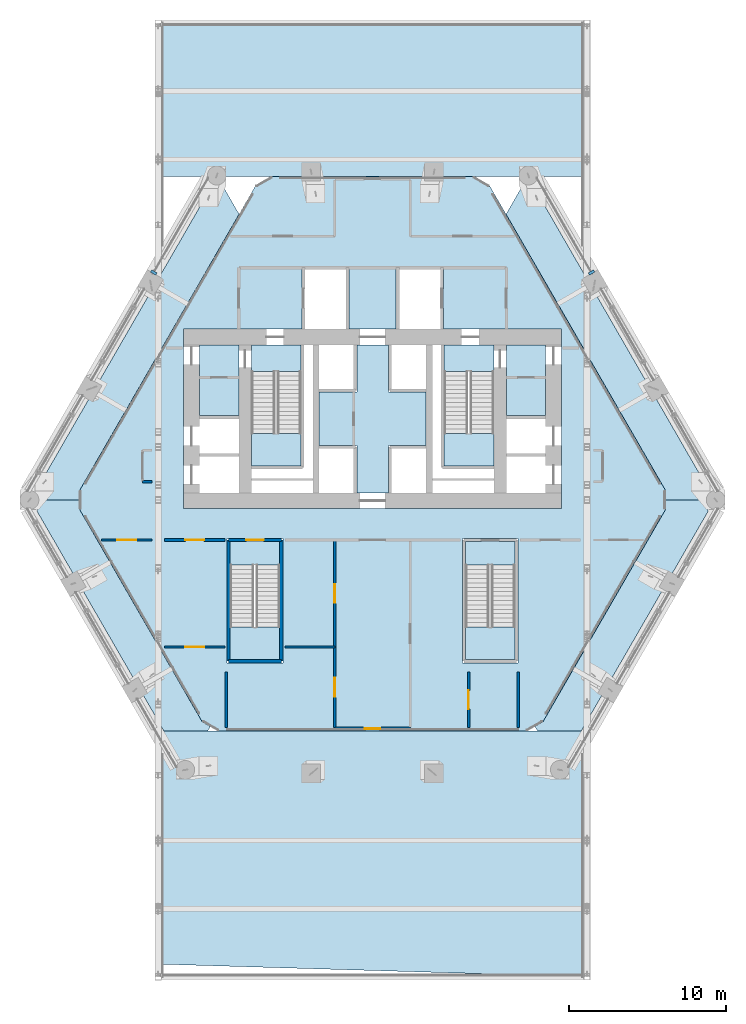
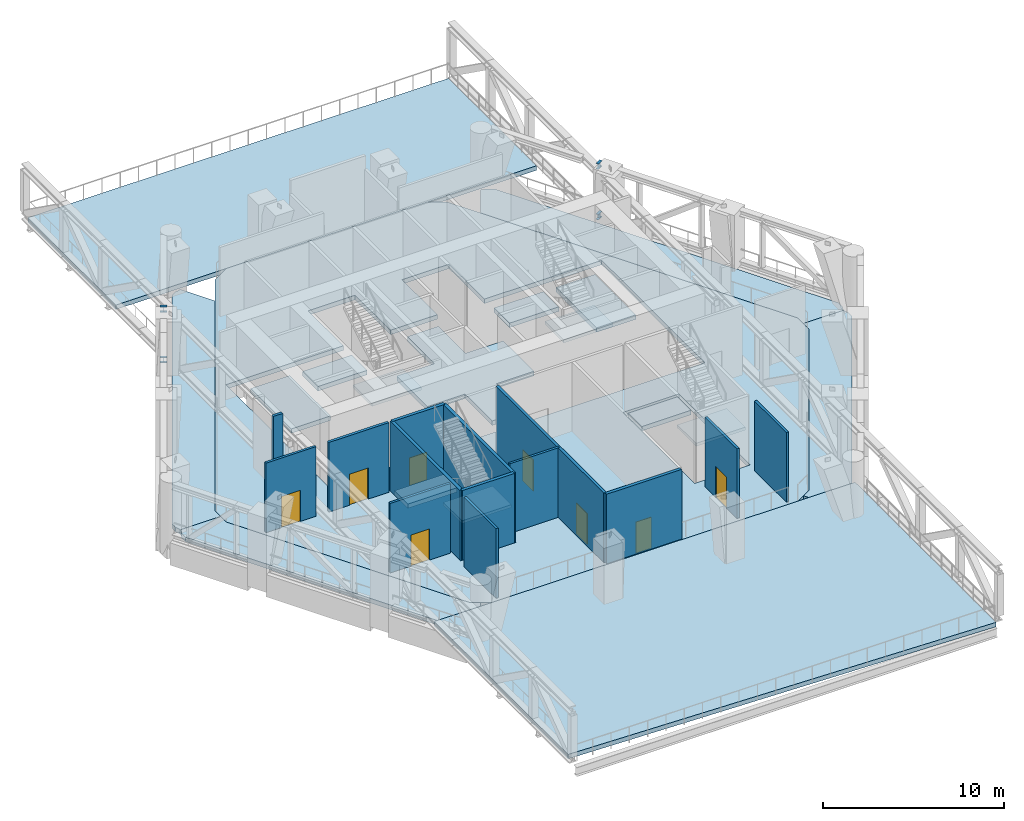
# One storey, part 9 of 22: 18 slabs, 14 walls, 8 doors, 4 members, 8 openings, 4 elements without a shape of their own.
"""IFC4 building model written with IfcOpenShell, lengths in metres."""

from ifc_helpers import new_model, si_unit, direction, frame, frame_2d, origin, origin_2d, place, context, subcontext, project, spatial, polyline, rectangle, i_section, outline, extrude, material, layer, layer_set, material_profile, profile_set, type_object, element, fill, aggregate, save


model = new_model("IFC4")

# Units and contexts
model_context = context("Model", 3, precision=1e-05, world=origin(), true_north=direction((0.0, 1.0)))
body_context = subcontext(model_context, "Body", "Model", "MODEL_VIEW")
ifc_project = project(units=[si_unit("LENGTHUNIT", "METRE"), si_unit("AREAUNIT", "SQUARE_METRE"), si_unit("VOLUMEUNIT", "CUBIC_METRE"), si_unit("PLANEANGLEUNIT", "RADIAN"), si_unit("MASSUNIT", "GRAM", prefix="KILO")], contexts=[model_context])

# Site, building, storey
site_placement = place(None, origin())
site = spatial("IfcSite", under=ifc_project, at=site_placement, CompositionType="ELEMENT")
building_placement = place(site_placement, origin())
building = spatial("IfcBuilding", under=site, at=building_placement, Name="Ostrander Bayou Hotel Tower", CompositionType="ELEMENT")
storey_placement = place(building_placement, frame((0.0, 0.0, 146.0)))
storey = spatial("IfcBuildingStorey", under=building, at=storey_placement, Name="L36", CompositionType="ELEMENT", Elevation=146.0)

# Members
ifc_material_1 = material(Name="Steel ASTM A992", Category="steel")
ifc_material_profile = material_profile(ifc_material_1, i_section(OverallWidth=0.3955078125, OverallDepth=0.38037109375, WebThickness=0.01904296875, FlangeThickness=0.0302734375, at=origin_2d()))
ifc_profile_set = profile_set([ifc_material_profile], Name="Steel ASTM A992")
member_type = type_object("IfcMemberType", Name="BT3 belt truss chord W14x159", PredefinedType="CHORD", material=ifc_profile_set)
for number, where, z_axis, x_axis, name in (
    (1, (-13.865966796875, 13.370361328125, 0.190185546875), (-0.500013496215, -0.866017611601, 0.0), (0.866017611601, -0.500013496215, 0.0), "BT3 L36 NW-1B2"),
    (2, (-13.865966796875, 13.370361328125, 3.60986328125), (-0.500013496215, -0.866017611601, 0.0), (0.866017611601, -0.500013496215, 0.0), "BT3 L36 NW-1T2"),
    (3, (13.95068359375, 13.2236328125, 0.190185546875), (-0.500013496215, 0.866017611601, 0.0), (-0.866017611601, -0.500013496215, 0.0), "BT3 L36 NE-3B1"),
    (4, (13.95068359375, 13.2236328125, 3.60986328125), (-0.500013496215, 0.866017611601, 0.0), (-0.866017611601, -0.500013496215, 0.0), "BT3 L36 NE-3T1"),
):
    element("IfcMember", number, at=place(storey_placement, frame(where, z_axis=z_axis, x_axis=x_axis)), inside=storey, type_object=member_type, Name=name, PredefinedType="CHORD", context=body_context, shape_type="SweptSolid", body=[
        extrude(i_section(OverallWidth=0.3955078125, OverallDepth=0.38037109375, WebThickness=0.01904296875, FlangeThickness=0.0302734375, at=origin_2d()), origin(), (0.0, 0.0, 1.0), 0.16943359375),
    ])

# Slabs
ifc_material_2 = material(Name="Concrete f'c 40 MPa", Category="concrete")
ifc_layer_1 = layer(ifc_material_2, 0.300048828125)
ifc_layer_set_1 = layer_set([ifc_layer_1], Name="SL1 floor slab 300 mm f'c 40 MPa")
slab_type_1 = type_object("IfcSlabType", Name="SL1 floor slab 300 mm f'c 40 MPa", PredefinedType="FLOOR", material=ifc_layer_set_1)
slab_1_placement = place(storey_placement, frame((0.0, 0.0, -0.300048828125)))
element("IfcSlab", 5, at=slab_1_placement, inside=storey, type_object=slab_type_1, Name="SL1 L36 1", PredefinedType="FLOOR", context=body_context, shape_type="SweptSolid", body=[
    extrude(outline(polyline([(7.4404296875, 18.800048828125), (18.61572265625, -0.556396484375), (18.61572265625, -1.756591796875), (10.8291015625, -15.243408203125), (9.789794921875, -15.843505859375), (-9.789794921875, -15.843505859375), (-10.8291015625, -15.243408203125), (-18.61572265625, -1.756591796875), (-18.61572265625, -0.556396484375), (-7.4404296875, 18.800048828125), (-6.401123046875, 19.39990234375), (6.401123046875, 19.39990234375), (7.4404296875, 18.800048828125)]), holes=[polyline([(-12.0, -1.699951171875), (12.0, -1.699951171875), (12.0, 9.699951171875), (4.5, 9.699951171875), (4.5, 13.60009765625), (1.5, 13.60009765625), (1.5, 9.699951171875), (-1.5, 9.699951171875), (-1.5, 13.60009765625), (-4.5, 13.60009765625), (-4.5, 9.699951171875), (-12.0, 9.699951171875), (-12.0, -1.699951171875)]), polyline([(9.25, -3.60009765625), (5.699951171875, -3.60009765625), (5.699951171875, -11.5), (9.25, -11.5), (9.25, -3.60009765625)]), polyline([(-5.699951171875, -3.60009765625), (-9.25, -3.60009765625), (-9.25, -11.5), (-5.699951171875, -11.5), (-5.699951171875, -3.60009765625)])]), origin(), (0.0, 0.0, 1.0), 0.300048828125),
])
slab_2_placement = place(storey_placement, frame((0.0, 0.0, -0.300048828125)))
element("IfcSlab", 6, at=slab_2_placement, inside=storey, type_object=slab_type_1, Name="cslab:L36:001", PredefinedType="FLOOR", context=body_context, shape_type="SweptSolid", body=[
    extrude(outline(polyline([(-3.39990234375, 5.699951171875), (-1.0, 5.699951171875), (-1.0, 8.699951171875), (1.0, 8.699951171875), (1.0, 5.699951171875), (3.39990234375, 5.699951171875), (3.39990234375, 2.300048828125), (1.0, 2.300048828125), (1.0, -0.699951171875), (-1.0, -0.699951171875), (-1.0, 2.300048828125), (-3.39990234375, 2.300048828125), (-3.39990234375, 5.699951171875)])), origin(), (0.0, 0.0, 1.0), 0.300048828125),
])
slab_3_placement = place(storey_placement, frame((0.0, 0.0, -0.300048828125)))
element("IfcSlab", 7, at=slab_3_placement, inside=storey, type_object=slab_type_1, Name="cslab:L36:002", PredefinedType="FLOOR", context=body_context, shape_type="SweptSolid", body=[
    extrude(outline(polyline([(-8.5, 4.199951171875), (-8.5, 8.699951171875), (-11.0, 8.699951171875), (-11.0, 4.199951171875), (-8.5, 4.199951171875)])), origin(), (0.0, 0.0, 1.0), 0.300048828125),
])
slab_4_placement = place(storey_placement, frame((0.0, 0.0, -0.300048828125)))
element("IfcSlab", 8, at=slab_4_placement, inside=storey, type_object=slab_type_1, Name="cslab:L36:003", PredefinedType="FLOOR", context=body_context, shape_type="SweptSolid", body=[
    extrude(outline(polyline([(11.0, 4.199951171875), (11.0, 8.699951171875), (8.5, 8.699951171875), (8.5, 4.199951171875), (11.0, 4.199951171875)])), origin(), (0.0, 0.0, 1.0), 0.300048828125),
])
slab_5_placement = place(storey_placement, frame((0.0, 0.0, -0.300048828125)))
element("IfcSlab", 9, at=slab_5_placement, inside=storey, type_object=slab_type_1, Name="cslab:L36:004", PredefinedType="FLOOR", context=body_context, shape_type="SweptSolid", body=[
    extrude(outline(polyline([(-4.550048828125, 7.0), (-4.550048828125, 8.699951171875), (-7.699951171875, 8.699951171875), (-7.699951171875, 7.0), (-4.550048828125, 7.0)])), origin(), (0.0, 0.0, 1.0), 0.300048828125),
])
slab_6_placement = place(storey_placement, frame((0.0, 0.0, -0.300048828125)))
element("IfcSlab", 10, at=slab_6_placement, inside=storey, type_object=slab_type_1, Name="cslab:L36:005", PredefinedType="FLOOR", context=body_context, shape_type="SweptSolid", body=[
    extrude(outline(polyline([(7.699951171875, 7.0), (7.699951171875, 8.699951171875), (4.550048828125, 8.699951171875), (4.550048828125, 7.0), (7.699951171875, 7.0)])), origin(), (0.0, 0.0, 1.0), 0.300048828125),
])
slab_7_placement = place(storey_placement, frame((0.0, 0.0, -0.300048828125)))
element("IfcSlab", 11, at=slab_7_placement, inside=storey, type_object=slab_type_1, Name="cslab:L36:006", PredefinedType="FLOOR", context=body_context, shape_type="SweptSolid", body=[
    extrude(outline(polyline([(9.050048828125, -5.300048828125), (9.050048828125, -3.800048828125), (5.89990234375, -3.800048828125), (5.89990234375, -5.300048828125), (9.050048828125, -5.300048828125)])), origin(), (0.0, 0.0, 1.0), 0.300048828125),
])
slab_8_placement = place(storey_placement, frame((0.0, 0.0, -0.300048828125)))
element("IfcSlab", 12, at=slab_8_placement, inside=storey, type_object=slab_type_1, Name="cslab:L36:007", PredefinedType="FLOOR", context=body_context, shape_type="SweptSolid", body=[
    extrude(outline(polyline([(-5.89990234375, -5.300048828125), (-5.89990234375, -3.800048828125), (-9.050048828125, -3.800048828125), (-9.050048828125, -5.300048828125), (-5.89990234375, -5.300048828125)])), origin(), (0.0, 0.0, 1.0), 0.300048828125),
])
ifc_material_3 = material(Name="Concrete f'c 40 MPa", Category="concrete")
ifc_layer_2 = layer(ifc_material_3, 0.300048828125)
ifc_layer_set_2 = layer_set([ifc_layer_2], Name="SL4 loggia slab 300 mm f'c 40 MPa")
slab_type_2 = type_object("IfcSlabType", Name="SL4 loggia slab 300 mm f'c 40 MPa", PredefinedType="FLOOR", material=ifc_layer_set_2)
slab_9_placement = place(storey_placement, frame((0.0, 0.0, -0.300048828125)))
element("IfcSlab", 13, at=slab_9_placement, inside=storey, type_object=slab_type_2, Name="SL4 LOGGIA L36 NW 1", PredefinedType="FLOOR", context=body_context, shape_type="SweptSolid", body=[
    extrude(outline(polyline([(-21.201416015625, -1.156494140625), (-21.212890625, -1.039306640625), (-21.2470703125, -0.927001953125), (-21.300537109375, -0.826904296875), (-21.300537109375, -0.406494140625), (-17.4677734375, 6.232177734375), (-16.45166015625, 7.9921875), (-11.565185546875, 16.455322265625), (-10.60302734375, 18.121826171875), (-10.298095703125, 18.64990234375), (-9.93115234375, 18.862060546875), (-9.899169921875, 18.85888671875), (-9.781982421875, 18.870361328125), (-9.669677734375, 18.904541015625), (-9.6005859375, 18.94140625), (-8.4794921875, 17.0), (-18.61572265625, -0.556396484375), (-18.61572265625, -1.156494140625), (-21.201416015625, -1.156494140625)])), origin(), (0.0, 0.0, 1.0), 0.300048828125),
])
slab_10_placement = place(storey_placement, frame((0.0, 0.0, -0.300048828125)))
element("IfcSlab", 14, at=slab_10_placement, inside=storey, type_object=slab_type_2, Name="SL4 LOGGIA L36 SW 1", PredefinedType="FLOOR", context=body_context, shape_type="SweptSolid", body=[
    extrude(outline(polyline([(-10.309326171875, -15.54345703125), (-10.482666015625, -15.843505859375), (-13.25390625, -15.843505859375), (-14.5625, -13.576904296875), (-15.132568359375, -12.589599609375), (-18.46923828125, -6.810302734375), (-19.039306640625, -5.822998046875), (-21.300537109375, -1.906494140625), (-21.300537109375, -1.48583984375), (-21.2470703125, -1.385986328125), (-21.212890625, -1.2734375), (-21.201416015625, -1.156494140625), (-18.61572265625, -1.156494140625), (-18.61572265625, -1.756591796875), (-10.8291015625, -15.243408203125), (-10.309326171875, -15.54345703125)])), origin(), (0.0, 0.0, 1.0), 0.300048828125),
])
slab_11_placement = place(storey_placement, frame((0.0, 0.0, -0.300048828125)))
element("IfcSlab", 15, at=slab_11_placement, inside=storey, type_object=slab_type_2, Name="SL4 LOGGIA L36 SE 1", PredefinedType="FLOOR", context=body_context, shape_type="SweptSolid", body=[
    extrude(outline(polyline([(21.300537109375, -1.906494140625), (19.039306640625, -5.822998046875), (18.46923828125, -6.810302734375), (15.132568359375, -12.589599609375), (14.5625, -13.576904296875), (13.25390625, -15.843505859375), (10.482666015625, -15.843505859375), (10.309326171875, -15.54345703125), (10.8291015625, -15.243408203125), (18.61572265625, -1.756591796875), (18.61572265625, -1.156494140625), (21.201416015625, -1.156494140625), (21.212890625, -1.2734375), (21.2470703125, -1.385986328125), (21.300537109375, -1.48583984375), (21.300537109375, -1.906494140625)])), origin(), (0.0, 0.0, 1.0), 0.300048828125),
])
slab_12_placement = place(storey_placement, frame((0.0, 0.0, -0.300048828125)))
element("IfcSlab", 16, at=slab_12_placement, inside=storey, type_object=slab_type_2, Name="SL4 LOGGIA L36 NE 1", PredefinedType="FLOOR", context=body_context, shape_type="SweptSolid", body=[
    extrude(outline(polyline([(9.6005859375, 18.94140625), (9.669677734375, 18.904541015625), (9.781982421875, 18.870361328125), (9.899169921875, 18.85888671875), (9.93115234375, 18.862060546875), (10.298095703125, 18.64990234375), (11.955810546875, 15.779296875), (13.56103515625, 12.998779296875), (14.549072265625, 11.287109375), (17.4677734375, 6.232177734375), (18.03759765625, 5.244873046875), (21.300537109375, -0.406494140625), (21.300537109375, -0.826904296875), (21.2470703125, -0.927001953125), (21.212890625, -1.039306640625), (21.201416015625, -1.156494140625), (18.61572265625, -1.156494140625), (18.61572265625, -0.556396484375), (8.4794921875, 17.0), (9.6005859375, 18.94140625)])), origin(), (0.0, 0.0, 1.0), 0.300048828125),
])
ifc_material_4 = material(Name="Concrete f'c 40 MPa", Category="concrete")
ifc_layer_3 = layer(ifc_material_4, 0.300048828125)
ifc_layer_set_3 = layer_set([ifc_layer_3], Name="SL6B terrace roof slab 300 mm f'c 40 MPa")
slab_type_3 = type_object("IfcSlabType", Name="SL6B terrace roof slab 300 mm f'c 40 MPa", PredefinedType="ROOF", material=ifc_layer_set_3)
slab_13_placement = place(storey_placement, frame((0.0, 0.0, -0.300048828125)))
element("IfcSlab", 17, at=slab_13_placement, inside=storey, type_object=slab_type_3, Name="SL6B ROOF SB3 1", PredefinedType="ROOF", context=body_context, shape_type="SweptSolid", body=[
    extrude(outline(polyline([(-13.442138671875, -15.843505859375), (13.442138671875, -15.843505859375), (13.442138671875, -31.449951171875), (-13.442138671875, -30.64990234375), (-13.442138671875, -15.843505859375)])), origin(), (0.0, 0.0, 1.0), 0.300048828125),
])
slab_14_placement = place(storey_placement, frame((0.0, 0.0, -0.300048828125)))
element("IfcSlab", 18, at=slab_14_placement, inside=storey, type_object=slab_type_3, Name="SL6B ROOF SB3 1", PredefinedType="ROOF", context=body_context, shape_type="SweptSolid", body=[
    extrude(outline(polyline([(-13.442138671875, 29.13720703125), (13.442138671875, 29.13720703125), (13.442138671875, 19.39990234375), (-13.442138671875, 19.39990234375), (-13.442138671875, 29.13720703125)])), origin(), (0.0, 0.0, 1.0), 0.300048828125),
])

# Stair, slab
ifc_material_5 = material(Name="Concrete f'c 45 MPa", Category="concrete")
stair_type = type_object("IfcStairType", Name="ST1 exit stair 1500 mm f'c 45 MPa", PredefinedType="HALF_TURN_STAIR", material=ifc_material_5)
stair_1_placement = place(storey_placement, origin())
stair_1 = element("IfcStair", 19, at=stair_1_placement, inside=storey, type_object=stair_type, Name="L36 exit stair A", PredefinedType="HALF_TURN_STAIR")
ifc_material_6 = material(Name="Concrete f'c 45 MPa", Category="concrete")
ifc_layer_4 = layer(ifc_material_6, 0.199951171875)
ifc_layer_set_4 = layer_set([ifc_layer_4], Name="SL8 stair landing 200 mm f'c 45 MPa")
slab_type_4 = type_object("IfcSlabType", Name="SL8 stair landing 200 mm f'c 45 MPa", PredefinedType="LANDING", material=ifc_layer_set_4)
slab_15_placement = place(storey_placement, frame((0.0, 0.0, 2.300048828125)))
slab_15 = element("IfcSlab", 20, at=slab_15_placement, type_object=slab_type_4, Name="STA landing 1", PredefinedType="LANDING", context=body_context, shape_type="SweptSolid", body=[
    extrude(outline(polyline([(-7.699951171875, 3.080078125), (-7.699951171875, 1.0), (-4.550048828125, 1.0), (-4.550048828125, 3.080078125), (-7.699951171875, 3.080078125)])), origin(), (0.0, 0.0, 1.0), 0.199951171875),
])
aggregate(stair_1, [slab_15])

stair_2_placement = place(storey_placement, origin())
stair_2 = element("IfcStair", 21, at=stair_2_placement, inside=storey, type_object=stair_type, Name="L36 exit stair B", PredefinedType="HALF_TURN_STAIR")
slab_16_placement = place(storey_placement, frame((0.0, 0.0, 2.300048828125)))
slab_16 = element("IfcSlab", 22, at=slab_16_placement, type_object=slab_type_4, Name="STB landing 1", PredefinedType="LANDING", context=body_context, shape_type="SweptSolid", body=[
    extrude(outline(polyline([(4.550048828125, 3.080078125), (4.550048828125, 1.0), (7.699951171875, 1.0), (7.699951171875, 3.080078125), (4.550048828125, 3.080078125)])), origin(), (0.0, 0.0, 1.0), 0.199951171875),
])
aggregate(stair_2, [slab_16])

stair_3_placement = place(storey_placement, origin())
stair_3 = element("IfcStair", 23, at=stair_3_placement, inside=storey, type_object=stair_type, Name="L36 exit stair C", PredefinedType="HALF_TURN_STAIR")
slab_17_placement = place(storey_placement, frame((0.0, 0.0, 2.300048828125)))
slab_17 = element("IfcSlab", 24, at=slab_17_placement, type_object=slab_type_4, Name="STC landing 1", PredefinedType="LANDING", context=body_context, shape_type="SweptSolid", body=[
    extrude(outline(polyline([(5.89990234375, -9.219970703125), (5.89990234375, -11.300048828125), (9.050048828125, -11.300048828125), (9.050048828125, -9.219970703125), (5.89990234375, -9.219970703125)])), origin(), (0.0, 0.0, 1.0), 0.199951171875),
])
aggregate(stair_3, [slab_17])

stair_4_placement = place(storey_placement, origin())
stair_4 = element("IfcStair", 25, at=stair_4_placement, inside=storey, type_object=stair_type, Name="L36 exit stair D", PredefinedType="HALF_TURN_STAIR")
slab_18_placement = place(storey_placement, frame((0.0, 0.0, 2.300048828125)))
slab_18 = element("IfcSlab", 26, at=slab_18_placement, type_object=slab_type_4, Name="STD landing 1", PredefinedType="LANDING", context=body_context, shape_type="SweptSolid", body=[
    extrude(outline(polyline([(-9.050048828125, -9.219970703125), (-9.050048828125, -11.300048828125), (-5.89990234375, -11.300048828125), (-5.89990234375, -9.219970703125), (-9.050048828125, -9.219970703125)])), origin(), (0.0, 0.0, 1.0), 0.199951171875),
])
aggregate(stair_4, [slab_18])

# Wall, opening, door
ifc_material_7 = material(Name="Gypsum board partition", Category="finish")
ifc_layer_5 = layer(ifc_material_7, 0.175048828125)
ifc_layer_set_5 = layer_set([ifc_layer_5], Name="PT4 corridor wall 175 mm, 1 hour")
wall_type_1 = type_object("IfcWallType", Name="PT4 corridor wall 175 mm, 1 hour", PredefinedType="PARTITIONING", material=ifc_layer_set_5)
wall_1_placement = place(storey_placement, frame((-13.219970703125, -3.699951171875, 0.0), z_axis=(0.0, 0.0, 1.0), x_axis=(1.0, 0.0, 0.0)))
wall_1 = element("IfcWall", 27, at=wall_1_placement, inside=storey, type_object=wall_type_1, Name="sw:L36:001", PredefinedType="PARTITIONING", context=body_context, shape_type="SweptSolid", body=[
    extrude(rectangle(XDim=3.840087890625, YDim=0.175048828125, at=frame_2d((1.919921875, 0.0))), origin(), (0.0, 0.0, 1.0), 4.699951171875),
])
opening_1_placement = place(wall_1_placement, frame((1.320068359375, 0.0, 0.0)))
opening_1 = element("IfcOpeningElement", 28, at=opening_1_placement, cuts=wall_1, Name="Opening T36-205", PredefinedType="OPENING", context=body_context, shape_type="SweptSolid", body=[
    extrude(rectangle(XDim=1.199951171875, YDim=2.10009765625, at=frame_2d((0.60009765625, 1.050048828125))), frame((0.0, 0.08740234375, 0.0), z_axis=(0.0, -1.0, 0.0), x_axis=(1.0, 0.0, 0.0)), (0.0, 0.0, 1.0), 0.175048828125),
])
ifc_material_8 = material(Name="Timber door leaf", Category="wood")
door_type_1 = type_object("IfcDoorType", Name="D10 plant room door 1200 x 2100 mm, 1 hour", OperationType="SINGLE_SWING_LEFT", PredefinedType="DOOR", material=ifc_material_8)
door_1_placement = place(opening_1_placement, origin())
door_1 = element("IfcDoor", 29, at=door_1_placement, inside=storey, type_object=door_type_1, Name="dr:L36:205", OperationType="SINGLE_SWING_LEFT", OverallHeight=2.10009765625, OverallWidth=1.199951171875, PredefinedType="DOOR", context=body_context, shape_type="SweptSolid", body=[
    extrude(rectangle(XDim=1.199951171875, YDim=2.10009765625, at=frame_2d((0.60009765625, 1.050048828125))), frame((0.0, 0.02490234375, 0.0), z_axis=(0.0, -1.0, 0.0), x_axis=(1.0, 0.0, 0.0)), (0.0, 0.0, 1.0), 0.050048828125),
])
fill(opening_1, door_1)

# Wall
wall_2_placement = place(storey_placement, frame((-14.6201171875, 0.007080078125, 0.0), z_axis=(0.0, 0.0, 1.0), x_axis=(1.0, 0.0, 0.0)))
element("IfcWall", 30, at=wall_2_placement, inside=storey, type_object=wall_type_1, Name="sw:L36:004", PredefinedType="PARTITIONING", context=body_context, shape_type="SweptSolid", body=[
    extrude(rectangle(XDim=0.60009765625, YDim=0.175048828125, at=frame_2d((0.300048828125, 0.0))), origin(), (0.0, 0.0, 1.0), 4.699951171875),
])

# Wall, openings, doors
wall_3_placement = place(storey_placement, frame((-2.39990234375, -15.613525390625, 0.0), z_axis=(0.0, 0.0, 1.0), x_axis=(0.0, 1.0, 0.0)))
wall_3 = element("IfcWall", 31, at=wall_3_placement, inside=storey, type_object=wall_type_1, Name="sw:L36:013", PredefinedType="PARTITIONING", context=body_context, shape_type="SweptSolid", body=[
    extrude(rectangle(XDim=11.91357421875, YDim=0.175048828125, at=frame_2d((5.956787109375, 0.0))), origin(), (0.0, 0.0, 1.0), 4.699951171875),
])
opening_2_placement = place(wall_3_placement, frame((1.956787109375, 0.0, 0.0)))
opening_2 = element("IfcOpeningElement", 32, at=opening_2_placement, cuts=wall_3, Name="Opening T36-207", PredefinedType="OPENING", context=body_context, shape_type="SweptSolid", body=[
    extrude(rectangle(XDim=1.199951171875, YDim=2.10009765625, at=frame_2d((0.60009765625, 1.050048828125))), frame((0.0, 0.08740234375, 0.0), z_axis=(0.0, -1.0, 0.0), x_axis=(1.0, 0.0, 0.0)), (0.0, 0.0, 1.0), 0.175048828125),
])
opening_3_placement = place(wall_3_placement, frame((7.91357421875, 0.0, 0.0)))
opening_3 = element("IfcOpeningElement", 33, at=opening_3_placement, cuts=wall_3, Name="Opening T36-208", PredefinedType="OPENING", context=body_context, shape_type="SweptSolid", body=[
    extrude(rectangle(XDim=1.199951171875, YDim=2.10009765625, at=frame_2d((0.60009765625, 1.050048828125))), frame((0.0, 0.08740234375, 0.0), z_axis=(0.0, -1.0, 0.0), x_axis=(1.0, 0.0, 0.0)), (0.0, 0.0, 1.0), 0.175048828125),
])
door_2_placement = place(opening_2_placement, origin())
door_2 = element("IfcDoor", 34, at=door_2_placement, inside=storey, type_object=door_type_1, Name="dr:L36:207", OperationType="SINGLE_SWING_LEFT", OverallHeight=2.10009765625, OverallWidth=1.199951171875, PredefinedType="DOOR", context=body_context, shape_type="SweptSolid", body=[
    extrude(rectangle(XDim=1.199951171875, YDim=2.10009765625, at=frame_2d((0.60009765625, 1.050048828125))), frame((0.0, 0.02490234375, 0.0), z_axis=(0.0, -1.0, 0.0), x_axis=(1.0, 0.0, 0.0)), (0.0, 0.0, 1.0), 0.050048828125),
])
fill(opening_2, door_2)
door_3_placement = place(opening_3_placement, origin())
door_3 = element("IfcDoor", 35, at=door_3_placement, inside=storey, type_object=door_type_1, Name="dr:L36:208", OperationType="SINGLE_SWING_RIGHT", OverallHeight=2.10009765625, OverallWidth=1.199951171875, PredefinedType="DOOR", context=body_context, shape_type="SweptSolid", body=[
    extrude(rectangle(XDim=1.199951171875, YDim=2.10009765625, at=frame_2d((0.60009765625, 1.050048828125))), frame((0.0, 0.02490234375, 0.0), z_axis=(0.0, -1.0, 0.0), x_axis=(1.0, 0.0, 0.0)), (0.0, 0.0, 1.0), 0.050048828125),
])
fill(opening_3, door_3)

# Wall, opening, door
ifc_material_9 = material(Name="Gypsum board partition", Category="finish")
ifc_layer_6 = layer(ifc_material_9, 0.14990234375)
ifc_layer_set_6 = layer_set([ifc_layer_6], Name="PT7 riser wall 150 mm, 2 hour")
wall_type_2 = type_object("IfcWallType", Name="PT7 riser wall 150 mm, 2 hour", PredefinedType="PARTITIONING", material=ifc_layer_set_6)
wall_4_placement = place(storey_placement, frame((-13.219970703125, -10.5, 0.0), z_axis=(0.0, 0.0, 1.0), x_axis=(1.0, 0.0, 0.0)))
wall_4 = element("IfcWall", 36, at=wall_4_placement, inside=storey, type_object=wall_type_2, Name="sw:L36:018", PredefinedType="PARTITIONING", context=body_context, shape_type="SweptSolid", body=[
    extrude(rectangle(XDim=3.840087890625, YDim=0.14990234375, at=frame_2d((1.919921875, 0.0))), origin(), (0.0, 0.0, 1.0), 4.699951171875),
])
opening_4_placement = place(wall_4_placement, frame((1.320068359375, 0.0, 0.0)))
opening_4 = element("IfcOpeningElement", 37, at=opening_4_placement, cuts=wall_4, Name="Opening T36-206", PredefinedType="OPENING", context=body_context, shape_type="SweptSolid", body=[
    extrude(rectangle(XDim=1.199951171875, YDim=2.10009765625, at=frame_2d((0.60009765625, 1.050048828125))), frame((0.0, 0.074951171875, 0.0), z_axis=(0.0, -1.0, 0.0), x_axis=(1.0, 0.0, 0.0)), (0.0, 0.0, 1.0), 0.14990234375),
])
door_4_placement = place(opening_4_placement, origin())
door_4 = element("IfcDoor", 38, at=door_4_placement, inside=storey, type_object=door_type_1, Name="dr:L36:206", OperationType="SINGLE_SWING_RIGHT", OverallHeight=2.10009765625, OverallWidth=1.199951171875, PredefinedType="DOOR", context=body_context, shape_type="SweptSolid", body=[
    extrude(rectangle(XDim=1.199951171875, YDim=2.10009765625, at=frame_2d((0.60009765625, 1.050048828125))), frame((0.0, 0.02490234375, 0.0), z_axis=(0.0, -1.0, 0.0), x_axis=(1.0, 0.0, 0.0)), (0.0, 0.0, 1.0), 0.050048828125),
])
fill(opening_4, door_4)

# Wall
wall_5_placement = place(storey_placement, frame((-5.570068359375, -10.5, 0.0), z_axis=(0.0, 0.0, 1.0), x_axis=(1.0, 0.0, 0.0)))
element("IfcWall", 39, at=wall_5_placement, inside=storey, type_object=wall_type_2, Name="sw:L36:019", PredefinedType="PARTITIONING", context=body_context, shape_type="SweptSolid", body=[
    extrude(rectangle(XDim=3.170166015625, YDim=0.14990234375, at=frame_2d((1.5849609375, 0.0))), origin(), (0.0, 0.0, 1.0), 4.699951171875),
])

# Wall, opening, door
wall_6_placement = place(storey_placement, frame((-17.22802734375, -3.699951171875, 0.0), z_axis=(0.0, 0.0, 1.0), x_axis=(1.0, 0.0, 0.0)))
wall_6 = element("IfcWall", 40, at=wall_6_placement, inside=storey, type_object=wall_type_2, Name="sw:L36:020", PredefinedType="PARTITIONING", context=body_context, shape_type="SweptSolid", body=[
    extrude(rectangle(XDim=3.2080078125, YDim=0.14990234375, at=frame_2d((1.60400390625, 0.0))), origin(), (0.0, 0.0, 1.0), 4.699951171875),
])
opening_5_placement = place(wall_6_placement, frame((1.004150390625, 0.0, 0.0)))
opening_5 = element("IfcOpeningElement", 41, at=opening_5_placement, cuts=wall_6, Name="Opening T36-203", PredefinedType="OPENING", context=body_context, shape_type="SweptSolid", body=[
    extrude(rectangle(XDim=1.199951171875, YDim=2.10009765625, at=frame_2d((0.60009765625, 1.050048828125))), frame((0.0, 0.074951171875, 0.0), z_axis=(0.0, -1.0, 0.0), x_axis=(1.0, 0.0, 0.0)), (0.0, 0.0, 1.0), 0.14990234375),
])
door_5_placement = place(opening_5_placement, origin())
door_5 = element("IfcDoor", 42, at=door_5_placement, inside=storey, type_object=door_type_1, Name="dr:L36:203", OperationType="SINGLE_SWING_LEFT", OverallHeight=2.10009765625, OverallWidth=1.199951171875, PredefinedType="DOOR", context=body_context, shape_type="SweptSolid", body=[
    extrude(rectangle(XDim=1.199951171875, YDim=2.10009765625, at=frame_2d((0.60009765625, 1.050048828125))), frame((0.0, 0.02490234375, 0.0), z_axis=(0.0, -1.0, 0.0), x_axis=(1.0, 0.0, 0.0)), (0.0, 0.0, 1.0), 0.050048828125),
])
fill(opening_5, door_5)

# Wall
wall_7_placement = place(storey_placement, frame((-9.300048828125, -15.613525390625, 0.0), z_axis=(0.0, 0.0, 1.0), x_axis=(0.0, 1.0, 0.0)))
element("IfcWall", 43, at=wall_7_placement, inside=storey, type_object=wall_type_2, Name="sw:L36:022", PredefinedType="PARTITIONING", context=body_context, shape_type="SweptSolid", body=[
    extrude(rectangle(XDim=3.533447265625, YDim=0.14990234375, at=frame_2d((1.7666015625, 0.0))), origin(), (0.0, 0.0, 1.0), 4.699951171875),
])

# Wall, opening, door
wall_8_placement = place(storey_placement, frame((6.10009765625, -15.613525390625, 0.0), z_axis=(0.0, 0.0, 1.0), x_axis=(0.0, 1.0, 0.0)))
wall_8 = element("IfcWall", 44, at=wall_8_placement, inside=storey, type_object=wall_type_2, Name="sw:L36:023", PredefinedType="PARTITIONING", context=body_context, shape_type="SweptSolid", body=[
    extrude(rectangle(XDim=3.533447265625, YDim=0.14990234375, at=frame_2d((1.7666015625, 0.0))), origin(), (0.0, 0.0, 1.0), 4.699951171875),
])
opening_6_placement = place(wall_8_placement, frame((1.166748046875, 0.0, 0.0)))
opening_6 = element("IfcOpeningElement", 45, at=opening_6_placement, cuts=wall_8, Name="Opening T36-210", PredefinedType="OPENING", context=body_context, shape_type="SweptSolid", body=[
    extrude(rectangle(XDim=1.199951171875, YDim=2.10009765625, at=frame_2d((0.60009765625, 1.050048828125))), frame((0.0, 0.074951171875, 0.0), z_axis=(0.0, -1.0, 0.0), x_axis=(1.0, 0.0, 0.0)), (0.0, 0.0, 1.0), 0.14990234375),
])
door_6_placement = place(opening_6_placement, origin())
door_6 = element("IfcDoor", 46, at=door_6_placement, inside=storey, type_object=door_type_1, Name="dr:L36:210", OperationType="SINGLE_SWING_RIGHT", OverallHeight=2.10009765625, OverallWidth=1.199951171875, PredefinedType="DOOR", context=body_context, shape_type="SweptSolid", body=[
    extrude(rectangle(XDim=1.199951171875, YDim=2.10009765625, at=frame_2d((0.60009765625, 1.050048828125))), frame((0.0, 0.02490234375, 0.0), z_axis=(0.0, -1.0, 0.0), x_axis=(1.0, 0.0, 0.0)), (0.0, 0.0, 1.0), 0.050048828125),
])
fill(opening_6, door_6)

# Wall
wall_9_placement = place(storey_placement, frame((9.25, -15.613525390625, 0.0), z_axis=(0.0, 0.0, 1.0), x_axis=(0.0, 1.0, 0.0)))
element("IfcWall", 47, at=wall_9_placement, inside=storey, type_object=wall_type_2, Name="sw:L36:024", PredefinedType="PARTITIONING", context=body_context, shape_type="SweptSolid", body=[
    extrude(rectangle(XDim=3.533447265625, YDim=0.14990234375, at=frame_2d((1.7666015625, 0.0))), origin(), (0.0, 0.0, 1.0), 4.699951171875),
])

# Wall, opening, door
ifc_material_10 = material(Name="Masonry block", Category="masonry")
ifc_layer_7 = layer(ifc_material_10, 0.199951171875)
ifc_layer_set_7 = layer_set([ifc_layer_7], Name="PT9 exterior screen wall 200 mm masonry, 1 hour")
wall_type_3 = type_object("IfcWallType", Name="PT9 exterior screen wall 200 mm masonry, 1 hour", PredefinedType="PARTITIONING", material=ifc_layer_set_7)
wall_10_placement = place(storey_placement, frame((-2.39990234375, -15.693603515625, 0.0), z_axis=(0.0, 0.0, 1.0), x_axis=(1.0, 0.0, 0.0)))
wall_10 = element("IfcWall", 48, at=wall_10_placement, inside=storey, type_object=wall_type_3, Name="sw:L36:025", PredefinedType="PARTITIONING", context=body_context, shape_type="SweptSolid", body=[
    extrude(rectangle(XDim=4.7998046875, YDim=0.199951171875, at=frame_2d((2.39990234375, 0.0))), origin(), (0.0, 0.0, 1.0), 4.699951171875),
])
opening_7_placement = place(wall_10_placement, frame((1.89990234375, 0.0, 0.0)))
opening_7 = element("IfcOpeningElement", 49, at=opening_7_placement, cuts=wall_10, Name="Opening T36-214", PredefinedType="OPENING", context=body_context, shape_type="SweptSolid", body=[
    extrude(rectangle(XDim=1.0, YDim=2.10009765625, at=frame_2d((0.5, 1.050048828125))), frame((0.0, 0.10009765625, 0.0), z_axis=(0.0, -1.0, 0.0), x_axis=(1.0, 0.0, 0.0)), (0.0, 0.0, 1.0), 0.199951171875),
])
ifc_material_11 = material(Name="Timber door leaf", Category="wood")
door_type_2 = type_object("IfcDoorType", Name="D4 corridor door 1000 x 2100 mm, 1 hour", OperationType="SINGLE_SWING_LEFT", PredefinedType="DOOR", material=ifc_material_11)
door_7_placement = place(opening_7_placement, origin())
door_7 = element("IfcDoor", 50, at=door_7_placement, inside=storey, type_object=door_type_2, Name="dr:L36:214", OperationType="SINGLE_SWING_LEFT", OverallHeight=2.10009765625, OverallWidth=1.0, PredefinedType="DOOR", context=body_context, shape_type="SweptSolid", body=[
    extrude(rectangle(XDim=1.0, YDim=2.10009765625, at=frame_2d((0.5, 1.050048828125))), frame((0.0, 0.02490234375, 0.0), z_axis=(0.0, -1.0, 0.0), x_axis=(1.0, 0.0, 0.0)), (0.0, 0.0, 1.0), 0.050048828125),
])
fill(opening_7, door_7)

ifc_material_12 = material(Name="Concrete f'c 45 MPa", Category="concrete")
ifc_layer_8 = layer(ifc_material_12, 0.199951171875)
ifc_layer_set_8 = layer_set([ifc_layer_8], Name="SW5 stair enclosure wall 200 mm f'c 45 MPa")
wall_type_4 = type_object("IfcWallType", Name="SW5 stair enclosure wall 200 mm f'c 45 MPa", PredefinedType="SOLIDWALL", material=ifc_layer_set_8)
wall_11_placement = place(storey_placement, frame((-9.14990234375, -3.699951171875, -0.300048828125), z_axis=(0.0, 0.0, 1.0), x_axis=(1.0, 0.0, 0.0)))
wall_11 = element("IfcWall", 51, at=wall_11_placement, inside=storey, type_object=wall_type_4, Name="cs:L36:019", PredefinedType="SOLIDWALL", context=body_context, shape_type="SweptSolid", body=[
    extrude(rectangle(XDim=3.349853515625, YDim=0.199951171875, at=frame_2d((1.6748046875, 0.0))), origin(), (0.0, 0.0, 1.0), 5.0),
])
opening_8_placement = place(wall_11_placement, frame((1.125, 0.0, 0.0)))
opening_8 = element("IfcOpeningElement", 52, at=opening_8_placement, cuts=wall_11, Name="Opening T36-008", PredefinedType="OPENING", context=body_context, shape_type="SweptSolid", body=[
    extrude(rectangle(XDim=1.10009765625, YDim=2.10009765625, at=frame_2d((0.550048828125, 1.050048828125))), frame((0.0, 0.10009765625, 0.0), z_axis=(0.0, -1.0, 0.0), x_axis=(1.0, 0.0, 0.0)), (0.0, 0.0, 1.0), 0.199951171875),
])
ifc_material_13 = material(Name="Timber door leaf", Category="wood")
door_type_3 = type_object("IfcDoorType", Name="D5 stair door 1100 x 2100 mm, 90 minute", OperationType="SINGLE_SWING_LEFT", PredefinedType="DOOR", material=ifc_material_13)
door_8_placement = place(opening_8_placement, origin())
door_8 = element("IfcDoor", 53, at=door_8_placement, inside=storey, type_object=door_type_3, Name="dr:L36:008", OperationType="SINGLE_SWING_LEFT", OverallHeight=2.10009765625, OverallWidth=1.10009765625, PredefinedType="DOOR", context=body_context, shape_type="SweptSolid", body=[
    extrude(rectangle(XDim=1.10009765625, YDim=2.10009765625, at=frame_2d((0.550048828125, 1.050048828125))), frame((0.0, 0.02490234375, 0.0), z_axis=(0.0, -1.0, 0.0), x_axis=(1.0, 0.0, 0.0)), (0.0, 0.0, 1.0), 0.050048828125),
])
fill(opening_8, door_8)

# Walls
for number, where, z_axis, x_axis, name in (
    (54, (-9.14990234375, -3.699951171875, -0.300048828125), (0.0, 0.0, 1.0), (0.0, -1.0, 0.0), "cs:L36:020"),
    (55, (-5.800048828125, -3.699951171875, -0.300048828125), (0.0, 0.0, 1.0), (0.0, -1.0, 0.0), "cs:L36:021"),
):
    element("IfcWall", number, at=place(storey_placement, frame(where, z_axis=z_axis, x_axis=x_axis)), inside=storey, type_object=wall_type_4, Name=name, PredefinedType="SOLIDWALL", context=body_context, shape_type="SweptSolid", body=[
        extrude(rectangle(XDim=7.699951171875, YDim=0.199951171875, at=frame_2d((3.85009765625, 0.0))), origin(), (0.0, 0.0, 1.0), 5.0),
    ])
wall_12_placement = place(storey_placement, frame((-9.14990234375, -11.39990234375, -0.300048828125), z_axis=(0.0, 0.0, 1.0), x_axis=(1.0, 0.0, 0.0)))
element("IfcWall", 56, at=wall_12_placement, inside=storey, type_object=wall_type_4, Name="cs:L36:022", PredefinedType="SOLIDWALL", context=body_context, shape_type="SweptSolid", body=[
    extrude(rectangle(XDim=3.349853515625, YDim=0.199951171875, at=frame_2d((1.6748046875, 0.0))), origin(), (0.0, 0.0, 1.0), 5.0),
])

save(model, "model.ifc")
